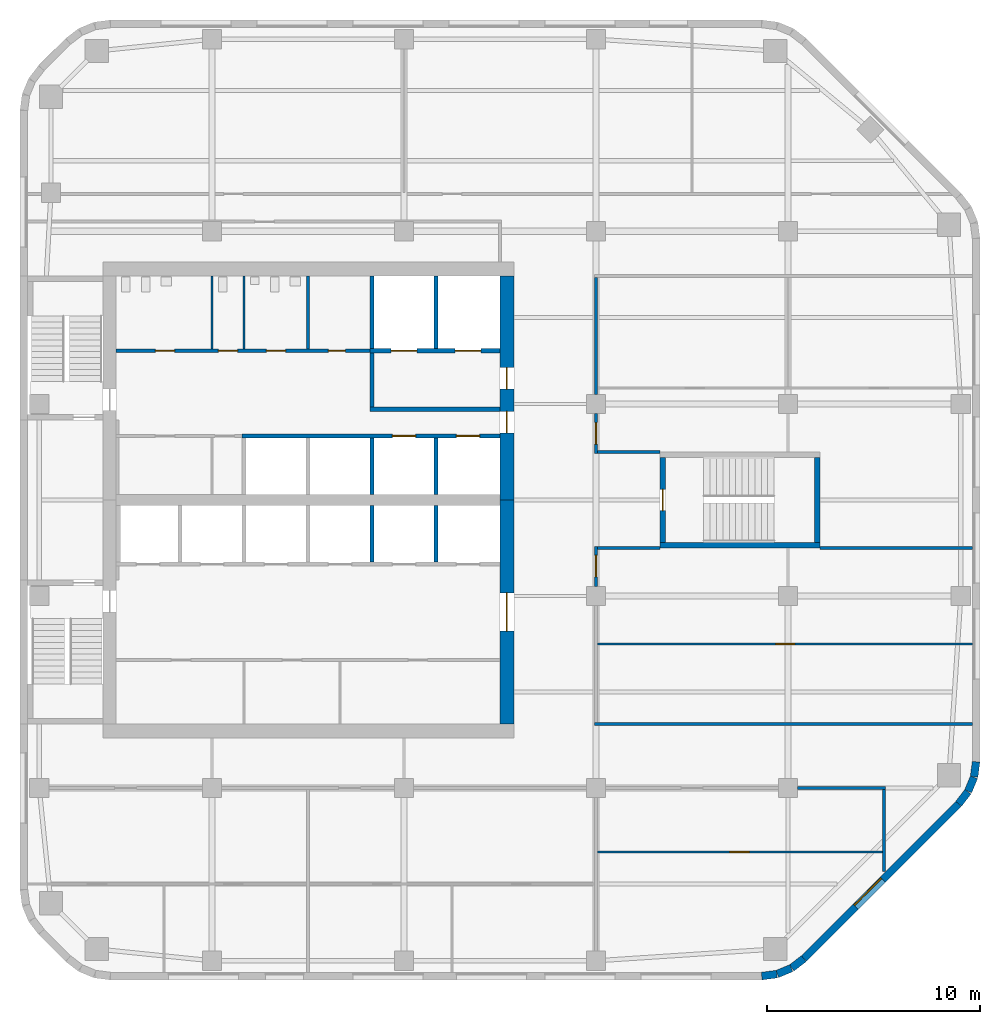
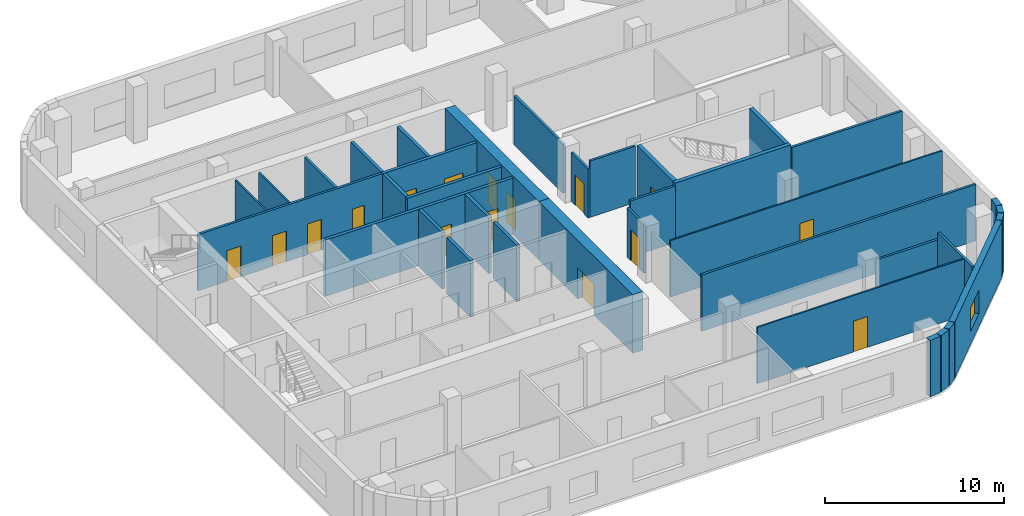
# One storey, part 4 of 8: 37 walls, 16 doors, 1 window, 17 openings.
"""IFC4 building model written with IfcOpenShell, lengths in metres."""

from ifc_helpers import new_model, si_unit, direction, frame, frame_2d, origin, place, context, subcontext, project, spatial, rectangle, extrude, material, layer, layer_set, type_object, element, fill, save


model = new_model("IFC4")

# Units and contexts
model_context = context("Model", 3, precision=1e-05, world=origin(), true_north=direction((0.0, 1.0)))
body_context = subcontext(model_context, "Body", "Model", "MODEL_VIEW")
ifc_project = project(units=[si_unit("LENGTHUNIT", "METRE"), si_unit("AREAUNIT", "SQUARE_METRE"), si_unit("VOLUMEUNIT", "CUBIC_METRE"), si_unit("PLANEANGLEUNIT", "RADIAN"), si_unit("MASSUNIT", "GRAM", prefix="KILO")], contexts=[model_context])

# Site, building, storey
site_placement = place(None, origin())
site = spatial("IfcSite", under=ifc_project, at=site_placement, CompositionType="ELEMENT")
building_placement = place(site_placement, origin())
building = spatial("IfcBuilding", under=site, at=building_placement, Name="Cinnabar Reach Civic Tower", CompositionType="ELEMENT")
storey_placement = place(building_placement, frame((0.0, 0.0, 181.0)))
storey = spatial("IfcBuildingStorey", under=building, at=storey_placement, Name="L43", CompositionType="ELEMENT", Elevation=181.0)

# Walls
ifc_material_1 = material(Name="Facing brick with insulated backing", Category="masonry")
ifc_layer_1 = layer(ifc_material_1, 0.36)
ifc_layer_set_1 = layer_set([ifc_layer_1], Name="Brick corner wall")
wall_type_1 = type_object("IfcWallType", Name="Brick corner wall", PredefinedType="STANDARD", material=ifc_layer_set_1)
for number, where, z_axis, x_axis, name in (
    (1, (34.7686, 9.183, 0.0), (0.0, 0.0, 1.0), (0.99144092581, 0.13055608231, 0.0), "Brick corner wall"),
    (2, (35.4973, 9.2819, 0.0), (0.0, 0.0, 1.0), (0.923871547278, 0.382702709855, 0.0), "Brick corner wall"),
):
    element("IfcWall", number, at=place(storey_placement, frame(where, z_axis=z_axis, x_axis=x_axis)), inside=storey, type_object=wall_type_1, Name=name, PredefinedType="STANDARD", context=body_context, shape_type="SweptSolid", body=[
        extrude(rectangle(XDim=0.7131, YDim=0.36, at=frame_2d((0.3565, 0.0))), origin(), (0.0, 0.0, 1.0), 3.85),
    ])
for number, where, z_axis, x_axis, name in (
    (3, (36.1755, 9.566, 0.0), (0.0, 0.0, 1.0), (0.793321924995, 0.608802368033, 0.0), "Brick corner wall"),
    (4, (43.9998, 17.2587, 0.0), (0.0, 0.0, 1.0), (0.608802368033, 0.793321924995, 0.0), "Brick corner wall"),
):
    element("IfcWall", number, at=place(storey_placement, frame(where, z_axis=z_axis, x_axis=x_axis)), inside=storey, type_object=wall_type_1, Name=name, PredefinedType="STANDARD", context=body_context, shape_type="SweptSolid", body=[
        extrude(rectangle(XDim=0.7132, YDim=0.36, at=frame_2d((0.3566, 0.0))), origin(), (0.0, 0.0, 1.0), 3.85),
    ])
for number, where, z_axis, x_axis, name in (
    (5, (44.4452, 17.8439, 0.0), (0.0, 0.0, 1.0), (0.382702709855, 0.923871547278, 0.0), "Brick corner wall"),
    (6, (44.7239, 18.5244, 0.0), (0.0, 0.0, 1.0), (0.13055608231, 0.99144092581, 0.0), "Brick corner wall"),
):
    element("IfcWall", number, at=place(storey_placement, frame(where, z_axis=z_axis, x_axis=x_axis)), inside=storey, type_object=wall_type_1, Name=name, PredefinedType="STANDARD", context=body_context, shape_type="SweptSolid", body=[
        extrude(rectangle(XDim=0.7131, YDim=0.36, at=frame_2d((0.3565, 0.0))), origin(), (0.0, 0.0, 1.0), 3.85),
    ])

# Wall, opening, window
ifc_layer_2 = layer(ifc_material_1, 0.36)
ifc_layer_set_2 = layer_set([ifc_layer_2], Name="Brick pier and spandrel wall")
wall_type_2 = type_object("IfcWallType", Name="Brick pier and spandrel wall", PredefinedType="STANDARD", material=ifc_layer_set_2)
wall_1_placement = place(storey_placement, frame((36.7514, 10.006, 0.0), z_axis=(0.0, 0.0, 1.0), x_axis=(0.707106781187, 0.707106781187, 0.0)))
wall_1 = element("IfcWall", 7, at=wall_1_placement, inside=storey, type_object=wall_type_2, Name="Brick facade wall", PredefinedType="STANDARD", context=body_context, shape_type="SweptSolid", body=[
    extrude(rectangle(XDim=10.2426, YDim=0.36, at=frame_2d((5.1213, 0.0))), origin(), (0.0, 0.0, 1.0), 3.85),
])
opening_1_placement = place(wall_1_placement, frame((3.4213, 0.0, 0.9)))
opening_1 = element("IfcOpeningElement", 8, at=opening_1_placement, cuts=wall_1, Name="Opening W1887", PredefinedType="OPENING", context=body_context, shape_type="SweptSolid", body=[
    extrude(rectangle(XDim=1.8, YDim=1.6, at=frame_2d((0.9, 0.8))), frame((0.0, 0.19, 0.0), z_axis=(0.0, -1.0, 0.0), x_axis=(1.0, 0.0, 0.0)), (0.0, 0.0, 1.0), 0.38),
])
ifc_material_2 = material(Name="Clear double glazing in aluminium frame", Category="aluminium")
window_type = type_object("IfcWindowType", Name="Deep-set window D", PartitioningType="SINGLE_PANEL", PredefinedType="WINDOW", material=ifc_material_2)
window_placement = place(opening_1_placement, origin())
window = element("IfcWindow", 9, at=window_placement, inside=storey, type_object=window_type, Name="Window southeast face", OverallHeight=1.6, OverallWidth=1.8, PartitioningType="SINGLE_PANEL", PredefinedType="WINDOW", context=body_context, shape_type="SweptSolid", body=[
    extrude(rectangle(XDim=1.8, YDim=1.6, at=frame_2d((0.9, 0.8))), frame((0.0, 0.13, 0.0), z_axis=(0.0, -1.0, 0.0), x_axis=(1.0, 0.0, 0.0)), (0.0, 0.0, 1.0), 0.06),
])
fill(opening_1, window)

# Wall, opening, door
ifc_material_3 = material(Name="Concrete C70", Category="concrete")
ifc_layer_3 = layer(ifc_material_3, 0.65)
ifc_layer_set_3 = layer_set([ifc_layer_3], Name="Core wall 650 EI 180")
wall_type_3 = type_object("IfcWallType", Name="Core wall 650 EI 180", PredefinedType="SOLIDWALL", material=ifc_layer_set_3)
wall_2_placement = place(storey_placement, frame((22.825, 21.0, 0.0), z_axis=(0.0, 0.0, 1.0), x_axis=(0.0, 1.0, 0.0)))
wall_2 = element("IfcWall", 10, at=wall_2_placement, inside=storey, type_object=wall_type_3, Name="Core wall T1 L43 E", PredefinedType="SOLIDWALL", context=body_context, shape_type="SweptSolid", body=[
    extrude(rectangle(XDim=10.5, YDim=0.65, at=frame_2d((5.25, 0.0))), origin(), (0.0, 0.0, 1.0), 4.0),
])
opening_2_placement = place(wall_2_placement, frame((4.35, 0.0, 0.0)))
opening_2 = element("IfcOpeningElement", 11, at=opening_2_placement, cuts=wall_2, Name="Opening D4765", PredefinedType="OPENING", context=body_context, shape_type="SweptSolid", body=[
    extrude(rectangle(XDim=1.8, YDim=2.1, at=frame_2d((0.9, 1.05))), frame((0.0, 0.335, 0.0), z_axis=(0.0, -1.0, 0.0), x_axis=(1.0, 0.0, 0.0)), (0.0, 0.0, 1.0), 0.67),
])
ifc_material_4 = material(Name="Timber door leaf in steel frame", Category="steel")
door_type_1 = type_object("IfcDoorType", Name="Double swing door 1800 x 2100 T1", OperationType="DOUBLE_DOOR_DOUBLE_SWING", PredefinedType="DOOR", material=ifc_material_4)
door_1_placement = place(opening_2_placement, origin())
door_1 = element("IfcDoor", 12, at=door_1_placement, inside=storey, type_object=door_type_1, Name="Door D4765", OperationType="DOUBLE_DOOR_DOUBLE_SWING", OverallHeight=2.1, OverallWidth=1.8, PredefinedType="DOOR", context=body_context, shape_type="SweptSolid", body=[
    extrude(rectangle(XDim=1.8, YDim=2.1, at=frame_2d((0.9, 1.05))), frame((0.0, 0.025, 0.0), z_axis=(0.0, -1.0, 0.0), x_axis=(1.0, 0.0, 0.0)), (0.0, 0.0, 1.0), 0.05),
])
fill(opening_2, door_1)

# Wall, openings, doors
wall_3_placement = place(storey_placement, frame((22.825, 31.5, 0.0), z_axis=(0.0, 0.0, 1.0), x_axis=(0.0, 1.0, 0.0)))
wall_3 = element("IfcWall", 13, at=wall_3_placement, inside=storey, type_object=wall_type_3, Name="Core wall T1 L43 E2", PredefinedType="SOLIDWALL", context=body_context, shape_type="SweptSolid", body=[
    extrude(rectangle(XDim=10.5, YDim=0.65, at=frame_2d((5.25, 0.0))), origin(), (0.0, 0.0, 1.0), 4.0),
])
opening_3_placement = place(wall_3_placement, frame((3.15, 0.0, 0.0)))
opening_3 = element("IfcOpeningElement", 14, at=opening_3_placement, cuts=wall_3, Name="Opening D4766", PredefinedType="OPENING", context=body_context, shape_type="SweptSolid", body=[
    extrude(rectangle(XDim=1.0, YDim=2.1, at=frame_2d((0.5, 1.05))), frame((0.0, 0.335, 0.0), z_axis=(0.0, -1.0, 0.0), x_axis=(1.0, 0.0, 0.0)), (0.0, 0.0, 1.0), 0.67),
])
opening_4_placement = place(wall_3_placement, frame((5.2, 0.0, 0.0)))
opening_4 = element("IfcOpeningElement", 15, at=opening_4_placement, cuts=wall_3, Name="Opening D4767", PredefinedType="OPENING", context=body_context, shape_type="SweptSolid", body=[
    extrude(rectangle(XDim=1.0, YDim=2.1, at=frame_2d((0.5, 1.05))), frame((0.0, 0.335, 0.0), z_axis=(0.0, -1.0, 0.0), x_axis=(1.0, 0.0, 0.0)), (0.0, 0.0, 1.0), 0.67),
])
door_type_2 = type_object("IfcDoorType", Name="Firefighting lobby door 1000 x 2100 T1", OperationType="SINGLE_SWING_LEFT", PredefinedType="DOOR", material=ifc_material_4)
door_2_placement = place(opening_4_placement, origin())
door_2 = element("IfcDoor", 16, at=door_2_placement, inside=storey, type_object=door_type_2, Name="Door D4767", OperationType="SINGLE_SWING_LEFT", OverallHeight=2.1, OverallWidth=1.0, PredefinedType="DOOR", context=body_context, shape_type="SweptSolid", body=[
    extrude(rectangle(XDim=1.0, YDim=2.1, at=frame_2d((0.5, 1.05))), frame((0.0, 0.025, 0.0), z_axis=(0.0, -1.0, 0.0), x_axis=(1.0, 0.0, 0.0)), (0.0, 0.0, 1.0), 0.05),
])
fill(opening_4, door_2)
door_type_3 = type_object("IfcDoorType", Name="Single swing door 1000 x 2100 T1", OperationType="SINGLE_SWING_LEFT", PredefinedType="DOOR", material=ifc_material_4)
door_3_placement = place(opening_3_placement, origin())
door_3 = element("IfcDoor", 17, at=door_3_placement, inside=storey, type_object=door_type_3, Name="Door D4766", OperationType="SINGLE_SWING_RIGHT", OverallHeight=2.1, OverallWidth=1.0, PredefinedType="DOOR", context=body_context, shape_type="SweptSolid", body=[
    extrude(rectangle(XDim=1.0, YDim=2.1, at=frame_2d((0.5, 1.05))), frame((0.0, 0.025, 0.0), z_axis=(0.0, -1.0, 0.0), x_axis=(1.0, 0.0, 0.0)), (0.0, 0.0, 1.0), 0.05),
])
fill(opening_3, door_3)

# Walls
ifc_material_5 = material(Name="Gypsum board on steel studs, double layer", Category="steel")
ifc_layer_4 = layer(ifc_material_5, 0.15)
ifc_layer_set_4 = layer_set([ifc_layer_4], Name="Corridor wall 150 T1")
wall_type_4 = type_object("IfcWallType", Name="Corridor wall 150 T1", PredefinedType="PARTITIONING", material=ifc_layer_set_4)
wall_4_placement = place(storey_placement, frame((36.45, 18.0, 0.0), z_axis=(0.0, 0.0, 1.0), x_axis=(1.0, 0.0, 0.0)))
element("IfcWall", 18, at=wall_4_placement, inside=storey, type_object=wall_type_4, Name="Corridor wall 24", PredefinedType="PARTITIONING", context=body_context, shape_type="SweptSolid", body=[
    extrude(rectangle(XDim=4.1249, YDim=0.15, at=frame_2d((2.0625, 0.0))), origin(), (0.0, 0.0, 1.0), 3.35),
])
wall_5_placement = place(storey_placement, frame((26.925, 21.0, 0.0), z_axis=(0.0, 0.0, 1.0), x_axis=(1.0, 0.0, 0.0)))
element("IfcWall", 19, at=wall_5_placement, inside=storey, type_object=wall_type_4, Name="Corridor wall 27", PredefinedType="PARTITIONING", context=body_context, shape_type="SweptSolid", body=[
    extrude(rectangle(XDim=17.715, YDim=0.15, at=frame_2d((8.8575, 0.0))), origin(), (0.0, 0.0, 1.0), 3.85),
])

# Wall, openings, doors
wall_6_placement = place(storey_placement, frame((4.5, 38.5, 0.0), z_axis=(0.0, 0.0, 1.0), x_axis=(1.0, 0.0, 0.0)))
wall_6 = element("IfcWall", 20, at=wall_6_placement, inside=storey, type_object=wall_type_4, Name="Corridor wall 29", PredefinedType="PARTITIONING", context=body_context, shape_type="SweptSolid", body=[
    extrude(rectangle(XDim=11.9, YDim=0.15, at=frame_2d((5.95, 0.0))), origin(), (0.0, 0.0, 1.0), 3.85),
])
opening_5_placement = place(wall_6_placement, frame((1.85, 0.0, 0.0)))
opening_5 = element("IfcOpeningElement", 21, at=opening_5_placement, cuts=wall_6, Name="Opening D4774", PredefinedType="OPENING", context=body_context, shape_type="SweptSolid", body=[
    extrude(rectangle(XDim=0.9, YDim=2.1, at=frame_2d((0.45, 1.05))), frame((0.0, 0.085, 0.0), z_axis=(0.0, -1.0, 0.0), x_axis=(1.0, 0.0, 0.0)), (0.0, 0.0, 1.0), 0.17),
])
opening_6_placement = place(wall_6_placement, frame((4.8, 0.0, 0.0)))
opening_6 = element("IfcOpeningElement", 22, at=opening_6_placement, cuts=wall_6, Name="Opening D4775", PredefinedType="OPENING", context=body_context, shape_type="SweptSolid", body=[
    extrude(rectangle(XDim=0.9, YDim=2.1, at=frame_2d((0.45, 1.05))), frame((0.0, 0.085, 0.0), z_axis=(0.0, -1.0, 0.0), x_axis=(1.0, 0.0, 0.0)), (0.0, 0.0, 1.0), 0.17),
])
opening_7_placement = place(wall_6_placement, frame((7.05, 0.0, 0.0)))
opening_7 = element("IfcOpeningElement", 23, at=opening_7_placement, cuts=wall_6, Name="Opening D4776", PredefinedType="OPENING", context=body_context, shape_type="SweptSolid", body=[
    extrude(rectangle(XDim=0.9, YDim=2.1, at=frame_2d((0.45, 1.05))), frame((0.0, 0.085, 0.0), z_axis=(0.0, -1.0, 0.0), x_axis=(1.0, 0.0, 0.0)), (0.0, 0.0, 1.0), 0.17),
])
opening_8_placement = place(wall_6_placement, frame((9.95, 0.0, 0.0)))
opening_8 = element("IfcOpeningElement", 24, at=opening_8_placement, cuts=wall_6, Name="Opening D4777", PredefinedType="OPENING", context=body_context, shape_type="SweptSolid", body=[
    extrude(rectangle(XDim=0.8, YDim=2.1, at=frame_2d((0.4, 1.05))), frame((0.0, 0.085, 0.0), z_axis=(0.0, -1.0, 0.0), x_axis=(1.0, 0.0, 0.0)), (0.0, 0.0, 1.0), 0.17),
])
door_type_4 = type_object("IfcDoorType", Name="Riser access door 800 x 2100 T1", OperationType="SINGLE_SWING_LEFT", PredefinedType="DOOR", material=ifc_material_4)
door_4_placement = place(opening_8_placement, origin())
door_4 = element("IfcDoor", 25, at=door_4_placement, inside=storey, type_object=door_type_4, Name="Door D4777", OperationType="SINGLE_SWING_LEFT", OverallHeight=2.1, OverallWidth=0.8, PredefinedType="DOOR", context=body_context, shape_type="SweptSolid", body=[
    extrude(rectangle(XDim=0.8, YDim=2.1, at=frame_2d((0.4, 1.05))), frame((0.0, 0.025, 0.0), z_axis=(0.0, -1.0, 0.0), x_axis=(1.0, 0.0, 0.0)), (0.0, 0.0, 1.0), 0.05),
])
fill(opening_8, door_4)
door_type_5 = type_object("IfcDoorType", Name="Single swing door 900 x 2100 corridor T1", OperationType="SINGLE_SWING_LEFT", PredefinedType="DOOR", material=ifc_material_4)
door_5_placement = place(opening_5_placement, origin())
door_5 = element("IfcDoor", 26, at=door_5_placement, inside=storey, type_object=door_type_5, Name="Door D4774", OperationType="SINGLE_SWING_RIGHT", OverallHeight=2.1, OverallWidth=0.9, PredefinedType="DOOR", context=body_context, shape_type="SweptSolid", body=[
    extrude(rectangle(XDim=0.9, YDim=2.1, at=frame_2d((0.45, 1.05))), frame((0.0, 0.025, 0.0), z_axis=(0.0, -1.0, 0.0), x_axis=(1.0, 0.0, 0.0)), (0.0, 0.0, 1.0), 0.05),
])
fill(opening_5, door_5)
door_6_placement = place(opening_6_placement, origin())
door_6 = element("IfcDoor", 27, at=door_6_placement, inside=storey, type_object=door_type_5, Name="Door D4775", OperationType="SINGLE_SWING_RIGHT", OverallHeight=2.1, OverallWidth=0.9, PredefinedType="DOOR", context=body_context, shape_type="SweptSolid", body=[
    extrude(rectangle(XDim=0.9, YDim=2.1, at=frame_2d((0.45, 1.05))), frame((0.0, 0.025, 0.0), z_axis=(0.0, -1.0, 0.0), x_axis=(1.0, 0.0, 0.0)), (0.0, 0.0, 1.0), 0.05),
])
fill(opening_6, door_6)
door_7_placement = place(opening_7_placement, origin())
door_7 = element("IfcDoor", 28, at=door_7_placement, inside=storey, type_object=door_type_5, Name="Door D4776", OperationType="SINGLE_SWING_LEFT", OverallHeight=2.1, OverallWidth=0.9, PredefinedType="DOOR", context=body_context, shape_type="SweptSolid", body=[
    extrude(rectangle(XDim=0.9, YDim=2.1, at=frame_2d((0.45, 1.05))), frame((0.0, 0.025, 0.0), z_axis=(0.0, -1.0, 0.0), x_axis=(1.0, 0.0, 0.0)), (0.0, 0.0, 1.0), 0.05),
])
fill(opening_7, door_7)

# Wall, opening, door
wall_7_placement = place(storey_placement, frame((27.0, 27.45, 0.0), z_axis=(0.0, 0.0, 1.0), x_axis=(0.0, 1.0, 0.0)))
wall_7 = element("IfcWall", 29, at=wall_7_placement, inside=storey, type_object=wall_type_4, Name="Corridor wall 31", PredefinedType="PARTITIONING", context=body_context, shape_type="SweptSolid", body=[
    extrude(rectangle(XDim=1.875, YDim=0.15, at=frame_2d((0.9375, 0.0))), origin(), (0.0, 0.0, 1.0), 3.362),
])
opening_9_placement = place(wall_7_placement, frame((0.45, 0.0, 0.0)))
opening_9 = element("IfcOpeningElement", 30, at=opening_9_placement, cuts=wall_7, Name="Opening D4781", PredefinedType="OPENING", context=body_context, shape_type="SweptSolid", body=[
    extrude(rectangle(XDim=1.0, YDim=2.1, at=frame_2d((0.5, 1.05))), frame((0.0, 0.085, 0.0), z_axis=(0.0, -1.0, 0.0), x_axis=(1.0, 0.0, 0.0)), (0.0, 0.0, 1.0), 0.17),
])
door_type_6 = type_object("IfcDoorType", Name="Tenancy entrance door 1000 x 2100 T1", OperationType="SINGLE_SWING_LEFT", PredefinedType="DOOR", material=ifc_material_4)
door_8_placement = place(opening_9_placement, frame((1.0, 0.0, 0.0), z_axis=(0.0, 0.0, 1.0), x_axis=(-1.0, 0.0, 0.0)))
door_8 = element("IfcDoor", 31, at=door_8_placement, inside=storey, type_object=door_type_6, Name="Door D4781", OperationType="SINGLE_SWING_LEFT", OverallHeight=2.1, OverallWidth=1.0, PredefinedType="DOOR", context=body_context, shape_type="SweptSolid", body=[
    extrude(rectangle(XDim=1.0, YDim=2.1, at=frame_2d((0.5, 1.05))), frame((0.0, 0.025, 0.0), z_axis=(0.0, -1.0, 0.0), x_axis=(1.0, 0.0, 0.0)), (0.0, 0.0, 1.0), 0.05),
])
fill(opening_9, door_8)

wall_8_placement = place(storey_placement, frame((27.0, 33.675, 0.0), z_axis=(0.0, 0.0, 1.0), x_axis=(0.0, 1.0, 0.0)))
wall_8 = element("IfcWall", 32, at=wall_8_placement, inside=storey, type_object=wall_type_4, Name="Corridor wall 32", PredefinedType="PARTITIONING", context=body_context, shape_type="SweptSolid", body=[
    extrude(rectangle(XDim=1.875, YDim=0.15, at=frame_2d((0.9375, 0.0))), origin(), (0.0, 0.0, 1.0), 3.362),
])
opening_10_placement = place(wall_8_placement, frame((0.45, 0.0, 0.0)))
opening_10 = element("IfcOpeningElement", 33, at=opening_10_placement, cuts=wall_8, Name="Opening D4778", PredefinedType="OPENING", context=body_context, shape_type="SweptSolid", body=[
    extrude(rectangle(XDim=1.0, YDim=2.1, at=frame_2d((0.5, 1.05))), frame((0.0, 0.085, 0.0), z_axis=(0.0, -1.0, 0.0), x_axis=(1.0, 0.0, 0.0)), (0.0, 0.0, 1.0), 0.17),
])
door_9_placement = place(opening_10_placement, frame((1.0, 0.0, 0.0), z_axis=(0.0, 0.0, 1.0), x_axis=(-1.0, 0.0, 0.0)))
door_9 = element("IfcDoor", 34, at=door_9_placement, inside=storey, type_object=door_type_6, Name="Door D4778", OperationType="SINGLE_SWING_RIGHT", OverallHeight=2.1, OverallWidth=1.0, PredefinedType="DOOR", context=body_context, shape_type="SweptSolid", body=[
    extrude(rectangle(XDim=1.0, YDim=2.1, at=frame_2d((0.5, 1.05))), frame((0.0, 0.025, 0.0), z_axis=(0.0, -1.0, 0.0), x_axis=(1.0, 0.0, 0.0)), (0.0, 0.0, 1.0), 0.05),
])
fill(opening_10, door_9)

# Walls
wall_9_placement = place(storey_placement, frame((27.0, 36.45, 0.0), z_axis=(0.0, 0.0, 1.0), x_axis=(0.0, 1.0, 0.0)))
element("IfcWall", 35, at=wall_9_placement, inside=storey, type_object=wall_type_4, Name="Corridor wall 33", PredefinedType="PARTITIONING", context=body_context, shape_type="SweptSolid", body=[
    extrude(rectangle(XDim=5.475, YDim=0.15, at=frame_2d((2.7375, 0.0))), origin(), (0.0, 0.0, 1.0), 3.362),
])
wall_10_placement = place(storey_placement, frame((40.5, 14.084, 0.0), z_axis=(0.0, 0.0, 1.0), x_axis=(0.0, 1.0, 0.0)))
element("IfcWall", 36, at=wall_10_placement, inside=storey, type_object=wall_type_4, Name="Corridor wall 35", PredefinedType="PARTITIONING", context=body_context, shape_type="SweptSolid", body=[
    extrude(rectangle(XDim=3.841, YDim=0.15, at=frame_2d((1.9205, 0.0))), origin(), (0.0, 0.0, 1.0), 3.85),
])
for number, where, z_axis, x_axis, name in (
    (37, (27.075, 29.25, 0.0), (0.0, 0.0, 1.0), (1.0, 0.0, 0.0), "Corridor wall 38"),
    (38, (27.075, 33.75, 0.0), (0.0, 0.0, 1.0), (1.0, 0.0, 0.0), "Corridor wall 39"),
):
    element("IfcWall", number, at=place(storey_placement, frame(where, z_axis=z_axis, x_axis=x_axis)), inside=storey, type_object=wall_type_4, Name=name, PredefinedType="PARTITIONING", context=body_context, shape_type="SweptSolid", body=[
        extrude(rectangle(XDim=2.925, YDim=0.15, at=frame_2d((1.4625, 0.0))), origin(), (0.0, 0.0, 1.0), 3.85),
    ])

# Wall, openings, doors
ifc_material_6 = material(Name="Blockwork", Category="masonry")
ifc_layer_5 = layer(ifc_material_6, 0.2)
ifc_layer_set_5 = layer_set([ifc_layer_5], Name="Lift shaft wall 200 T1")
wall_type_5 = type_object("IfcWallType", Name="Lift shaft wall 200 T1", PredefinedType="PARTITIONING", material=ifc_layer_set_5)
wall_11_placement = place(storey_placement, frame((10.4, 34.5, 0.0), z_axis=(0.0, 0.0, 1.0), x_axis=(1.0, 0.0, 0.0)))
wall_11 = element("IfcWall", 39, at=wall_11_placement, inside=storey, type_object=wall_type_5, Name="Lift shaft wall 5", PredefinedType="PARTITIONING", context=body_context, shape_type="SweptSolid", body=[
    extrude(rectangle(XDim=12.1, YDim=0.2, at=frame_2d((6.05, 0.0))), origin(), (0.0, 0.0, 1.0), 3.85),
])
opening_11_placement = place(wall_11_placement, frame((7.05, 0.0, 0.0)))
opening_11 = element("IfcOpeningElement", 40, at=opening_11_placement, cuts=wall_11, Name="Opening D4761", PredefinedType="OPENING", context=body_context, shape_type="SweptSolid", body=[
    extrude(rectangle(XDim=1.1, YDim=2.1, at=frame_2d((0.55, 1.05))), frame((0.0, 0.11, 0.0), z_axis=(0.0, -1.0, 0.0), x_axis=(1.0, 0.0, 0.0)), (0.0, 0.0, 1.0), 0.22),
])
opening_12_placement = place(wall_11_placement, frame((10.05, 0.0, 0.0)))
opening_12 = element("IfcOpeningElement", 41, at=opening_12_placement, cuts=wall_11, Name="Opening D4762", PredefinedType="OPENING", context=body_context, shape_type="SweptSolid", body=[
    extrude(rectangle(XDim=1.1, YDim=2.1, at=frame_2d((0.55, 1.05))), frame((0.0, 0.11, 0.0), z_axis=(0.0, -1.0, 0.0), x_axis=(1.0, 0.0, 0.0)), (0.0, 0.0, 1.0), 0.22),
])
ifc_material_7 = material(Name="Stainless steel sliding door", Category="steel")
door_type_7 = type_object("IfcDoorType", Name="Lift landing door 1100 x 2100 T1", OperationType="SLIDING_TO_LEFT", PredefinedType="DOOR", material=ifc_material_7)
door_10_placement = place(opening_11_placement, origin())
door_10 = element("IfcDoor", 42, at=door_10_placement, inside=storey, type_object=door_type_7, Name="Lift landing door SV1 L43", OperationType="SLIDING_TO_LEFT", OverallHeight=2.1, OverallWidth=1.1, PredefinedType="DOOR", context=body_context, shape_type="SweptSolid", body=[
    extrude(rectangle(XDim=1.1, YDim=2.1, at=frame_2d((0.55, 1.05))), frame((0.0, 0.025, 0.0), z_axis=(0.0, -1.0, 0.0), x_axis=(1.0, 0.0, 0.0)), (0.0, 0.0, 1.0), 0.05),
])
fill(opening_11, door_10)
door_11_placement = place(opening_12_placement, origin())
door_11 = element("IfcDoor", 43, at=door_11_placement, inside=storey, type_object=door_type_7, Name="Lift landing door SV2 L43", OperationType="SLIDING_TO_LEFT", OverallHeight=2.1, OverallWidth=1.1, PredefinedType="DOOR", context=body_context, shape_type="SweptSolid", body=[
    extrude(rectangle(XDim=1.1, YDim=2.1, at=frame_2d((0.55, 1.05))), frame((0.0, 0.025, 0.0), z_axis=(0.0, -1.0, 0.0), x_axis=(1.0, 0.0, 0.0)), (0.0, 0.0, 1.0), 0.05),
])
fill(opening_12, door_11)

# Walls
for number, where, z_axis, x_axis, name in (
    (44, (16.5, 28.6, 0.0), (0.0, 0.0, 1.0), (0.0, 1.0, 0.0), "Lift shaft wall 10"),
    (45, (16.5, 31.75, 0.0), (0.0, 0.0, 1.0), (0.0, 1.0, 0.0), "Lift shaft wall 11"),
    (46, (19.5, 28.6, 0.0), (0.0, 0.0, 1.0), (0.0, 1.0, 0.0), "Lift shaft wall 12"),
    (47, (19.5, 31.75, 0.0), (0.0, 0.0, 1.0), (0.0, 1.0, 0.0), "Lift shaft wall 13"),
):
    element("IfcWall", number, at=place(storey_placement, frame(where, z_axis=z_axis, x_axis=x_axis)), inside=storey, type_object=wall_type_5, Name=name, PredefinedType="PARTITIONING", context=body_context, shape_type="SweptSolid", body=[
        extrude(rectangle(XDim=2.65, YDim=0.2, at=frame_2d((1.325, 0.0))), origin(), (0.0, 0.0, 1.0), 3.85),
    ])
for number, where, z_axis, x_axis, name in (
    (48, (16.5, 38.6, 0.0), (0.0, 0.0, 1.0), (0.0, 1.0, 0.0), "Lift shaft wall 14"),
    (49, (19.5, 38.6, 0.0), (0.0, 0.0, 1.0), (0.0, 1.0, 0.0), "Lift shaft wall 15"),
):
    element("IfcWall", number, at=place(storey_placement, frame(where, z_axis=z_axis, x_axis=x_axis)), inside=storey, type_object=wall_type_5, Name=name, PredefinedType="PARTITIONING", context=body_context, shape_type="SweptSolid", body=[
        extrude(rectangle(XDim=3.4, YDim=0.2, at=frame_2d((1.7, 0.0))), origin(), (0.0, 0.0, 1.0), 3.85),
    ])

# Wall, opening, door
ifc_material_8 = material(Name="Gypsum board on steel studs", Category="steel")
ifc_layer_6 = layer(ifc_material_8, 0.1)
ifc_layer_set_6 = layer_set([ifc_layer_6], Name="Partition wall 100 T1")
wall_type_6 = type_object("IfcWallType", Name="Partition wall 100 T1", PredefinedType="PARTITIONING", material=ifc_layer_set_6)
wall_12_placement = place(storey_placement, frame((27.075, 24.75, 0.0), z_axis=(0.0, 0.0, 1.0), x_axis=(1.0, 0.0, 0.0)))
wall_12 = element("IfcWall", 50, at=wall_12_placement, inside=storey, type_object=wall_type_6, Name="Partition wall 48", PredefinedType="PARTITIONING", context=body_context, shape_type="SweptSolid", body=[
    extrude(rectangle(XDim=17.565, YDim=0.1, at=frame_2d((8.7825, 0.0))), origin(), (0.0, 0.0, 1.0), 3.85),
])
opening_13_placement = place(wall_12_placement, frame((8.35, 0.0, 0.0)))
opening_13 = element("IfcOpeningElement", 51, at=opening_13_placement, cuts=wall_12, Name="Opening D4782", PredefinedType="OPENING", context=body_context, shape_type="SweptSolid", body=[
    extrude(rectangle(XDim=0.9, YDim=2.1, at=frame_2d((0.45, 1.05))), frame((0.0, 0.06, 0.0), z_axis=(0.0, -1.0, 0.0), x_axis=(1.0, 0.0, 0.0)), (0.0, 0.0, 1.0), 0.12),
])
door_type_8 = type_object("IfcDoorType", Name="Single swing door 900 x 2100 T1", OperationType="SINGLE_SWING_LEFT", PredefinedType="DOOR", material=ifc_material_4)
door_12_placement = place(opening_13_placement, frame((0.9, 0.0, 0.0), z_axis=(0.0, 0.0, 1.0), x_axis=(-1.0, 0.0, 0.0)))
door_12 = element("IfcDoor", 52, at=door_12_placement, inside=storey, type_object=door_type_8, Name="Door D4782", OperationType="SINGLE_SWING_RIGHT", OverallHeight=2.1, OverallWidth=0.9, PredefinedType="DOOR", context=body_context, shape_type="SweptSolid", body=[
    extrude(rectangle(XDim=0.9, YDim=2.1, at=frame_2d((0.45, 1.05))), frame((0.0, 0.025, 0.0), z_axis=(0.0, -1.0, 0.0), x_axis=(1.0, 0.0, 0.0)), (0.0, 0.0, 1.0), 0.05),
])
fill(opening_13, door_12)

wall_13_placement = place(storey_placement, frame((27.075, 15.0, 0.0), z_axis=(0.0, 0.0, 1.0), x_axis=(1.0, 0.0, 0.0)))
wall_13 = element("IfcWall", 53, at=wall_13_placement, inside=storey, type_object=wall_type_6, Name="Partition wall 50", PredefinedType="PARTITIONING", context=body_context, shape_type="SweptSolid", body=[
    extrude(rectangle(XDim=13.35, YDim=0.1, at=frame_2d((6.675, 0.0))), origin(), (0.0, 0.0, 1.0), 3.85),
])
opening_14_placement = place(wall_13_placement, frame((6.2, 0.0, 0.0)))
opening_14 = element("IfcOpeningElement", 54, at=opening_14_placement, cuts=wall_13, Name="Opening D4790", PredefinedType="OPENING", context=body_context, shape_type="SweptSolid", body=[
    extrude(rectangle(XDim=0.9, YDim=2.1, at=frame_2d((0.45, 1.05))), frame((0.0, 0.06, 0.0), z_axis=(0.0, -1.0, 0.0), x_axis=(1.0, 0.0, 0.0)), (0.0, 0.0, 1.0), 0.12),
])
door_13_placement = place(opening_14_placement, origin())
door_13 = element("IfcDoor", 55, at=door_13_placement, inside=storey, type_object=door_type_8, Name="Door D4790", OperationType="SINGLE_SWING_LEFT", OverallHeight=2.1, OverallWidth=0.9, PredefinedType="DOOR", context=body_context, shape_type="SweptSolid", body=[
    extrude(rectangle(XDim=0.9, YDim=2.1, at=frame_2d((0.45, 1.05))), frame((0.0, 0.025, 0.0), z_axis=(0.0, -1.0, 0.0), x_axis=(1.0, 0.0, 0.0)), (0.0, 0.0, 1.0), 0.05),
])
fill(opening_14, door_13)

# Walls
for number, where, z_axis, x_axis, name in (
    (56, (9.0, 38.575, 0.0), (0.0, 0.0, 1.0), (0.0, 1.0, 0.0), "Partition wall 56"),
    (57, (10.5, 38.575, 0.0), (0.0, 0.0, 1.0), (0.0, 1.0, 0.0), "Partition wall 57"),
):
    element("IfcWall", number, at=place(storey_placement, frame(where, z_axis=z_axis, x_axis=x_axis)), inside=storey, type_object=wall_type_6, Name=name, PredefinedType="PARTITIONING", context=body_context, shape_type="SweptSolid", body=[
        extrude(rectangle(XDim=3.425, YDim=0.1, at=frame_2d((1.7125, 0.0))), origin(), (0.0, 0.0, 1.0), 3.85),
    ])
ifc_material_9 = material(Name="Concrete C40", Category="concrete")
ifc_layer_7 = layer(ifc_material_9, 0.2)
ifc_layer_set_7 = layer_set([ifc_layer_7], Name="Refuge compartment wall 200 T1")
wall_type_7 = type_object("IfcWallType", Name="Refuge compartment wall 200 T1", PredefinedType="PARTITIONING", material=ifc_layer_set_7)
wall_14_placement = place(storey_placement, frame((16.4, 35.75, 0.0), z_axis=(0.0, 0.0, 1.0), x_axis=(1.0, 0.0, 0.0)))
element("IfcWall", 58, at=wall_14_placement, inside=storey, type_object=wall_type_7, Name="Refuge compartment wall 1", PredefinedType="PARTITIONING", context=body_context, shape_type="SweptSolid", body=[
    extrude(rectangle(XDim=6.1, YDim=0.2, at=frame_2d((3.05, 0.0))), origin(), (0.0, 0.0, 1.0), 3.85),
])

# Wall, openings, doors
wall_15_placement = place(storey_placement, frame((16.4, 38.5, 0.0), z_axis=(0.0, 0.0, 1.0), x_axis=(1.0, 0.0, 0.0)))
wall_15 = element("IfcWall", 59, at=wall_15_placement, inside=storey, type_object=wall_type_7, Name="Refuge compartment wall 2", PredefinedType="PARTITIONING", context=body_context, shape_type="SweptSolid", body=[
    extrude(rectangle(XDim=6.1, YDim=0.2, at=frame_2d((3.05, 0.0))), origin(), (0.0, 0.0, 1.0), 3.85),
])
opening_15_placement = place(wall_15_placement, frame((1.0, 0.0, 0.0)))
opening_15 = element("IfcOpeningElement", 60, at=opening_15_placement, cuts=wall_15, Name="Opening D4763", PredefinedType="OPENING", context=body_context, shape_type="SweptSolid", body=[
    extrude(rectangle(XDim=1.2, YDim=2.1, at=frame_2d((0.6, 1.05))), frame((0.0, 0.11, 0.0), z_axis=(0.0, -1.0, 0.0), x_axis=(1.0, 0.0, 0.0)), (0.0, 0.0, 1.0), 0.22),
])
opening_16_placement = place(wall_15_placement, frame((4.0, 0.0, 0.0)))
opening_16 = element("IfcOpeningElement", 61, at=opening_16_placement, cuts=wall_15, Name="Opening D4764", PredefinedType="OPENING", context=body_context, shape_type="SweptSolid", body=[
    extrude(rectangle(XDim=1.2, YDim=2.1, at=frame_2d((0.6, 1.05))), frame((0.0, 0.11, 0.0), z_axis=(0.0, -1.0, 0.0), x_axis=(1.0, 0.0, 0.0)), (0.0, 0.0, 1.0), 0.22),
])
door_type_9 = type_object("IfcDoorType", Name="Firefighting lift landing door 1200 x 2100 T1", OperationType="SLIDING_TO_LEFT", PredefinedType="DOOR", material=ifc_material_7)
door_14_placement = place(opening_15_placement, origin())
door_14 = element("IfcDoor", 62, at=door_14_placement, inside=storey, type_object=door_type_9, Name="Lift landing door FF1 L43", OperationType="SLIDING_TO_LEFT", OverallHeight=2.1, OverallWidth=1.2, PredefinedType="DOOR", context=body_context, shape_type="SweptSolid", body=[
    extrude(rectangle(XDim=1.2, YDim=2.1, at=frame_2d((0.6, 1.05))), frame((0.0, 0.025, 0.0), z_axis=(0.0, -1.0, 0.0), x_axis=(1.0, 0.0, 0.0)), (0.0, 0.0, 1.0), 0.05),
])
fill(opening_15, door_14)
door_15_placement = place(opening_16_placement, origin())
door_15 = element("IfcDoor", 63, at=door_15_placement, inside=storey, type_object=door_type_9, Name="Lift landing door FF2 L43", OperationType="SLIDING_TO_LEFT", OverallHeight=2.1, OverallWidth=1.2, PredefinedType="DOOR", context=body_context, shape_type="SweptSolid", body=[
    extrude(rectangle(XDim=1.2, YDim=2.1, at=frame_2d((0.6, 1.05))), frame((0.0, 0.025, 0.0), z_axis=(0.0, -1.0, 0.0), x_axis=(1.0, 0.0, 0.0)), (0.0, 0.0, 1.0), 0.05),
])
fill(opening_16, door_15)

# Walls
wall_16_placement = place(storey_placement, frame((16.5, 35.85, 0.0), z_axis=(0.0, 0.0, 1.0), x_axis=(0.0, 1.0, 0.0)))
element("IfcWall", 64, at=wall_16_placement, inside=storey, type_object=wall_type_7, Name="Refuge compartment wall 3", PredefinedType="PARTITIONING", context=body_context, shape_type="SweptSolid", body=[
    extrude(rectangle(XDim=2.55, YDim=0.2, at=frame_2d((1.275, 0.0))), origin(), (0.0, 0.0, 1.0), 3.85),
])
ifc_layer_8 = layer(ifc_material_6, 0.15)
ifc_layer_set_8 = layer_set([ifc_layer_8], Name="Riser wall 150 T1")
wall_type_8 = type_object("IfcWallType", Name="Riser wall 150 T1", PredefinedType="PARTITIONING", material=ifc_layer_set_8)
wall_17_placement = place(storey_placement, frame((13.5, 38.575, 0.0), z_axis=(0.0, 0.0, 1.0), x_axis=(0.0, 1.0, 0.0)))
element("IfcWall", 65, at=wall_17_placement, inside=storey, type_object=wall_type_8, Name="Riser wall 42", PredefinedType="PARTITIONING", context=body_context, shape_type="SweptSolid", body=[
    extrude(rectangle(XDim=3.425, YDim=0.15, at=frame_2d((1.7125, 0.0))), origin(), (0.0, 0.0, 1.0), 3.85),
])
ifc_material_10 = material(Name="Concrete C60", Category="concrete")
ifc_layer_9 = layer(ifc_material_10, 0.25)
ifc_layer_set_9 = layer_set([ifc_layer_9], Name="Stair shaft wall 250 EI 120")
wall_type_9 = type_object("IfcWallType", Name="Stair shaft wall 250 EI 120", PredefinedType="SOLIDWALL", material=ifc_layer_set_9)
wall_18_placement = place(storey_placement, frame((30.0, 29.375, 0.0), z_axis=(0.0, 0.0, 1.0), x_axis=(1.0, 0.0, 0.0)))
element("IfcWall", 66, at=wall_18_placement, inside=storey, type_object=wall_type_9, Name="Stair shaft wall T1-S3 L43", PredefinedType="SOLIDWALL", context=body_context, shape_type="SweptSolid", body=[
    extrude(rectangle(XDim=7.5, YDim=0.25, at=frame_2d((3.75, 0.0))), origin(), (0.0, 0.0, 1.0), 4.0),
])
wall_19_placement = place(storey_placement, frame((37.375, 29.5, 0.0), z_axis=(0.0, 0.0, 1.0), x_axis=(0.0, 1.0, 0.0)))
element("IfcWall", 67, at=wall_19_placement, inside=storey, type_object=wall_type_9, Name="Stair shaft wall T1-S3 L43", PredefinedType="SOLIDWALL", context=body_context, shape_type="SweptSolid", body=[
    extrude(rectangle(XDim=4.0, YDim=0.25, at=frame_2d((2.0, 0.0))), origin(), (0.0, 0.0, 1.0), 4.0),
])

# Wall, opening, door
wall_20_placement = place(storey_placement, frame((30.125, 33.5, 0.0), z_axis=(0.0, 0.0, 1.0), x_axis=(0.0, -1.0, 0.0)))
wall_20 = element("IfcWall", 68, at=wall_20_placement, inside=storey, type_object=wall_type_9, Name="Stair shaft wall T1-S3 L43", PredefinedType="SOLIDWALL", context=body_context, shape_type="SweptSolid", body=[
    extrude(rectangle(XDim=4.0, YDim=0.25, at=frame_2d((2.0, 0.0))), origin(), (0.0, 0.0, 1.0), 4.0),
])
opening_17_placement = place(wall_20_placement, frame((1.5, 0.0, 0.0)))
opening_17 = element("IfcOpeningElement", 69, at=opening_17_placement, cuts=wall_20, Name="Opening D4768", PredefinedType="OPENING", context=body_context, shape_type="SweptSolid", body=[
    extrude(rectangle(XDim=1.0, YDim=2.1, at=frame_2d((0.5, 1.05))), frame((0.0, 0.135, 0.0), z_axis=(0.0, -1.0, 0.0), x_axis=(1.0, 0.0, 0.0)), (0.0, 0.0, 1.0), 0.27),
])
door_type_10 = type_object("IfcDoorType", Name="Stair door 1000 x 2100 T1", OperationType="SINGLE_SWING_LEFT", PredefinedType="DOOR", material=ifc_material_4)
door_16_placement = place(opening_17_placement, origin())
door_16 = element("IfcDoor", 70, at=door_16_placement, inside=storey, type_object=door_type_10, Name="Door D4768", OperationType="SINGLE_SWING_LEFT", OverallHeight=2.1, OverallWidth=1.0, PredefinedType="DOOR", context=body_context, shape_type="SweptSolid", body=[
    extrude(rectangle(XDim=1.0, YDim=2.1, at=frame_2d((0.5, 1.05))), frame((0.0, 0.025, 0.0), z_axis=(0.0, -1.0, 0.0), x_axis=(1.0, 0.0, 0.0)), (0.0, 0.0, 1.0), 0.05),
])
fill(opening_17, door_16)

# Wall
ifc_layer_10 = layer(ifc_material_5, 0.15)
ifc_layer_set_10 = layer_set([ifc_layer_10], Name="Tenancy separating wall 150 T1")
wall_type_10 = type_object("IfcWallType", Name="Tenancy separating wall 150 T1", PredefinedType="PARTITIONING", material=ifc_layer_set_10)
wall_21_placement = place(storey_placement, frame((37.5, 29.25, 0.0), z_axis=(0.0, 0.0, 1.0), x_axis=(1.0, 0.0, 0.0)))
element("IfcWall", 71, at=wall_21_placement, inside=storey, type_object=wall_type_10, Name="Tenancy separating wall 45", PredefinedType="PARTITIONING", context=body_context, shape_type="SweptSolid", body=[
    extrude(rectangle(XDim=7.14, YDim=0.15, at=frame_2d((3.57, 0.0))), origin(), (0.0, 0.0, 1.0), 3.85),
])

save(model, "model.ifc")
